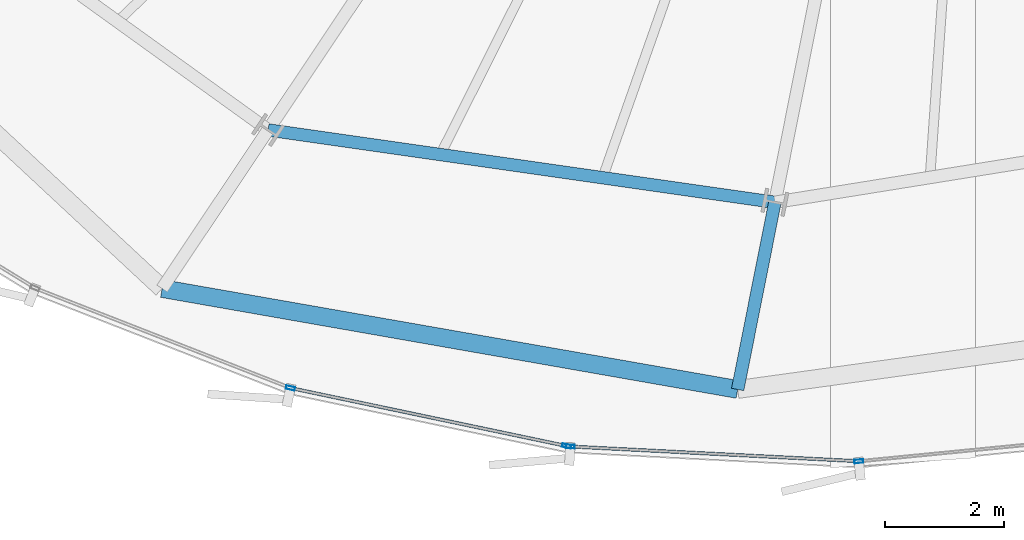
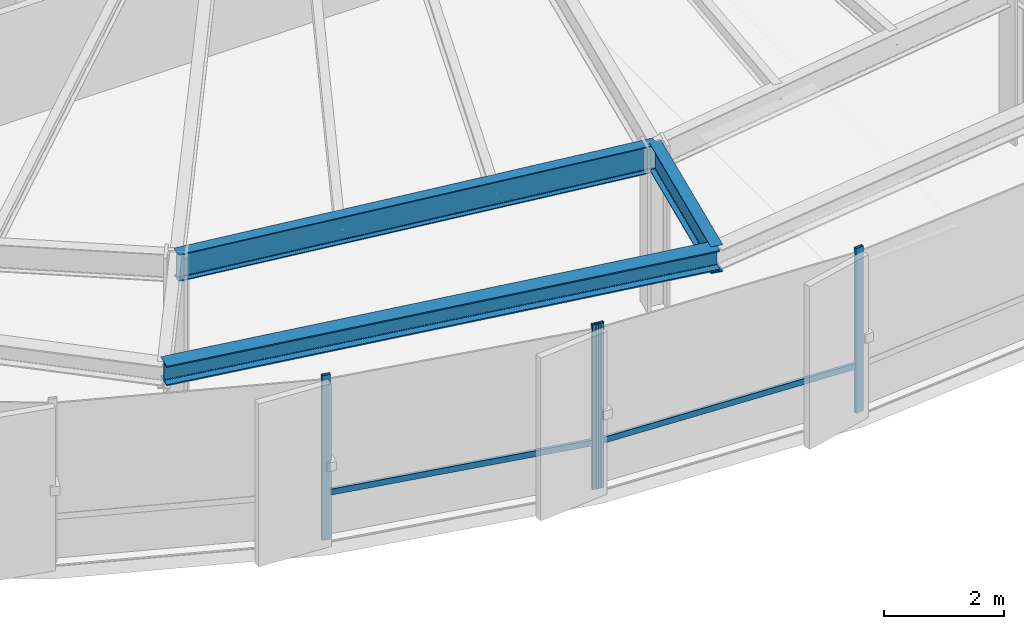
# One storey, part 5 of 35: 6 members, 3 beams, 2 elements without a shape of their own.
"""IFC4 building model written with IfcOpenShell, lengths in metres."""

from ifc_helpers import new_model, si_unit, direction, frame, origin, origin_2d, place, context, subcontext, project, spatial, hollow_rectangle, i_section, extrude, source, transform, mapped, material, layer, layer_set, material_profile, profile_set, type_object, element, aggregate, save


model = new_model("IFC4")

# Units and contexts
model_context = context("Model", 3, precision=1e-05, world=origin(), true_north=direction((0.0, 1.0)))
body_context = subcontext(model_context, "Body", "Model", "MODEL_VIEW")
ifc_project = project(units=[si_unit("LENGTHUNIT", "METRE"), si_unit("AREAUNIT", "SQUARE_METRE"), si_unit("VOLUMEUNIT", "CUBIC_METRE"), si_unit("PLANEANGLEUNIT", "RADIAN"), si_unit("MASSUNIT", "GRAM", prefix="KILO"), si_unit("THERMODYNAMICTEMPERATUREUNIT", "KELVIN")], contexts=[model_context])

# Site, building, storey
site_placement = place(None, origin())
site = spatial("IfcSite", under=ifc_project, at=site_placement, CompositionType="ELEMENT")
building_placement = place(site_placement, origin())
building = spatial("IfcBuilding", under=site, at=building_placement, Name="Kethvar Cultural Tower", CompositionType="ELEMENT")
storey_placement = place(building_placement, frame((0.0, 0.0, 107.199951171875)))
storey = spatial("IfcBuildingStorey", under=building, at=storey_placement, Name="L26", CompositionType="ELEMENT", Elevation=107.199951171875)

# Beams
ifc_material_1 = material(Name="Steel S355J2", Category="steel")
ifc_material_profile_1 = material_profile(ifc_material_1, i_section(OverallWidth=0.2099609375, OverallDepth=0.550048828125, WebThickness=0.010986328125, FlangeThickness=0.01708984375, FilletRadius=0.02392578125, at=origin_2d()), Name="Steel S355J2 — IPE550")
ifc_profile_set_1 = profile_set([ifc_material_profile_1], Name="Steel S355J2 — IPE550")
beam_type_1 = type_object("IfcBeamType", Name="BM-IPE550", PredefinedType="BEAM", material=ifc_profile_set_1)
shared_shape_1 = source(origin(), body_context, "Body", "SweptSolid", [
    extrude(i_section(OverallWidth=0.2099609375, OverallDepth=0.550048828125, WebThickness=0.010986328125, FlangeThickness=0.01708984375, FilletRadius=0.02392578125, at=origin_2d()), origin(), (0.0, 0.0, 1.0), 3.2001953125),
])
beam_1_placement = place(storey_placement, frame((42.852294921875, 7.95361328125, 3.072998046875), z_axis=(-0.195074368086, -0.980788453702, 0.0), x_axis=(0.980788453702, -0.195074368086, 0.0)))
element("IfcBeam", 1, at=beam_1_placement, inside=storey, type_object=beam_type_1, Name="L26 Perimeter Cantilever Beam RC-12", PredefinedType="BEAM", context=body_context, shape_type="MappedRepresentation", body=[
    mapped(shared_shape_1, transform((0.0, 0.0, 0.0), scale=1.0)),
])
shared_shape_2 = source(origin(), body_context, "Body", "SweptSolid", [
    extrude(i_section(OverallWidth=0.2099609375, OverallDepth=0.550048828125, WebThickness=0.010986328125, FlangeThickness=0.01708984375, FilletRadius=0.02392578125, at=origin_2d()), origin(), (0.0, 0.0, 1.0), 8.587890625),
])
beam_2_placement = place(storey_placement, frame((34.350830078125, 9.16845703125, 3.072998046875), z_axis=(0.989943807123, -0.141461156288, 0.0), x_axis=(0.141461156288, 0.989943807123, 0.0)))
element("IfcBeam", 2, at=beam_2_placement, inside=storey, type_object=beam_type_1, Name="L26 Column Ring Tie Beam CR-11", PredefinedType="BEAM", context=body_context, shape_type="MappedRepresentation", body=[
    mapped(shared_shape_2, transform((0.0, 0.0, 0.0), scale=1.0)),
])
ifc_material_profile_2 = material_profile(ifc_material_1, i_section(OverallWidth=0.300048828125, OverallDepth=0.39990234375, WebThickness=0.013427734375, FlangeThickness=0.02392578125, FilletRadius=0.027099609375, at=origin_2d()), Name="Steel S355J2 — HEB400")
ifc_profile_set_2 = profile_set([ifc_material_profile_2], Name="Steel S355J2 — HEB400")
beam_type_2 = type_object("IfcBeamType", Name="BM-SP400", PredefinedType="SPANDREL", material=ifc_profile_set_2)
shared_shape_3 = source(origin(), body_context, "Body", "SweptSolid", [
    extrude(i_section(OverallWidth=0.300048828125, OverallDepth=0.39990234375, WebThickness=0.013427734375, FlangeThickness=0.02392578125, FilletRadius=0.027099609375, at=origin_2d()), origin(), (0.0, 0.0, 1.0), 9.80224609375),
])
beam_3_placement = place(storey_placement, frame((32.572998046875, 6.5078125, 3.14794921875), z_axis=(0.984974273513, -0.172701130618, 0.0), x_axis=(0.172701130618, 0.984974273513, 0.0)))
element("IfcBeam", 3, at=beam_3_placement, inside=storey, type_object=beam_type_2, Name="L26 Perimeter Spandrel Beam SP-11", PredefinedType="SPANDREL", context=body_context, shape_type="MappedRepresentation", body=[
    mapped(shared_shape_3, transform((0.0, 0.0, 0.0), scale=1.0)),
])

# Curtain wall, members
ifc_material_2 = material(Name="Aluminium 6063-T6", Category="aluminium")
ifc_layer = layer(ifc_material_2, 0.179931640625, Name="Aluminium 6063-T6", Category="aluminium")
ifc_layer_set = layer_set([ifc_layer], Name="Aluminium 6063-T6 (180 mm)")
curtain_wall_type = type_object("IfcCurtainWallType", Name="CW-SYS-03-Z2", PredefinedType="NOTDEFINED", material=ifc_layer_set)
curtain_wall_1_placement = place(storey_placement, origin())
curtain_wall_1 = element("IfcCurtainWall", 4, at=curtain_wall_1_placement, inside=storey, type_object=curtain_wall_type, Name="L26 Curtain Wall Run 04", PredefinedType="NOTDEFINED")
ifc_material_profile_3 = material_profile(ifc_material_2, hollow_rectangle(XDim=0.06005859375, YDim=0.14990234375, WallThickness=0.0048828125, at=origin_2d()), Name="Aluminium 6063-T6 — RHS150x60x5")
ifc_profile_set_3 = profile_set([ifc_material_profile_3], Name="Aluminium 6063-T6 — RHS150x60x5")
member_type_1 = type_object("IfcMemberType", Name="CW-SYS-03-Z2-MUL", PredefinedType="MULLION", material=ifc_profile_set_3)
shared_shape_4 = source(origin(), body_context, "Body", "SweptSolid", [
    extrude(hollow_rectangle(XDim=0.06005859375, YDim=0.14990234375, WallThickness=0.0048828125, at=origin_2d()), origin(), (0.0, 0.0, 1.0), 3.35009765625),
])
member_1_placement = place(storey_placement, frame((34.72607421875, 4.83837890625, 0.0), z_axis=(0.0, 0.0, 1.0), x_axis=(0.205452683711, 0.97866705, 0.0)))
member_1 = element("IfcMember", 5, at=member_1_placement, type_object=member_type_1, Name="CW-L26-R04 Mullion 6", PredefinedType="MULLION", context=body_context, shape_type="MappedRepresentation", body=[
    mapped(shared_shape_4, transform((0.0, 0.0, 0.0), scale=1.0)),
])
member_2_placement = place(storey_placement, frame((39.359375, 3.86572265625, 0.0), z_axis=(0.0, 0.0, 1.0), x_axis=(0.205452683711, 0.97866705, 0.0)))
member_2 = element("IfcMember", 6, at=member_2_placement, type_object=member_type_1, Name="CW-L26-R04 Mullion 7", PredefinedType="MULLION", context=body_context, shape_type="MappedRepresentation", body=[
    mapped(shared_shape_4, transform((0.0, 0.0, 0.0), scale=1.0)),
])

curtain_wall_2_placement = place(storey_placement, origin())
curtain_wall_2 = element("IfcCurtainWall", 7, at=curtain_wall_2_placement, inside=storey, type_object=curtain_wall_type, Name="L26 Curtain Wall Run 05", PredefinedType="NOTDEFINED")
member_3_placement = place(storey_placement, frame((39.418701171875, 3.85791015625, 0.0), z_axis=(0.0, 0.0, 1.0), x_axis=(0.050941555809, 0.998701636071, 0.0)))
member_3 = element("IfcMember", 8, at=member_3_placement, type_object=member_type_1, Name="CW-L26-R05 Mullion 1", PredefinedType="MULLION", context=body_context, shape_type="MappedRepresentation", body=[
    mapped(shared_shape_4, transform((0.0, 0.0, 0.0), scale=1.0)),
])
member_4_placement = place(storey_placement, frame((44.259765625, 3.609619140625, 0.0), z_axis=(0.0, 0.0, 1.0), x_axis=(-0.097773967904, 0.995208647069, 0.0)))
member_4 = element("IfcMember", 9, at=member_4_placement, type_object=member_type_1, Name="CW-L26-R05 Mullion 2", PredefinedType="MULLION", context=body_context, shape_type="MappedRepresentation", body=[
    mapped(shared_shape_4, transform((0.0, 0.0, 0.0), scale=1.0)),
])
ifc_material_profile_4 = material_profile(ifc_material_2, hollow_rectangle(XDim=0.054931640625, YDim=0.1201171875, WallThickness=0.00390625, at=origin_2d()), Name="Aluminium 6063-T6 — RHS120x55x4")
ifc_profile_set_4 = profile_set([ifc_material_profile_4], Name="Aluminium 6063-T6 — RHS120x55x4")
member_type_2 = type_object("IfcMemberType", Name="CW-SYS-03-Z2-TRN", PredefinedType="USERDEFINED", material=ifc_profile_set_4)
shared_shape_5 = source(origin(), body_context, "Body", "SweptSolid", [
    extrude(hollow_rectangle(XDim=0.054931640625, YDim=0.1201171875, WallThickness=0.00390625, at=origin_2d()), origin(), (0.0, 0.0, 1.0), 4.817138671875),
])
member_5_placement = place(storey_placement, frame((39.4228515625, 3.857666015625, 0.949951171875), z_axis=(0.998701915446, -0.050936078408, 0.0), x_axis=(0.050936078408, 0.998701915446, 0.0)))
member_5 = element("IfcMember", 10, at=member_5_placement, type_object=member_type_2, Name="CW-L26-R05 Transom 1", ObjectType="TRANSOM", PredefinedType="USERDEFINED", context=body_context, shape_type="MappedRepresentation", body=[
    mapped(shared_shape_5, transform((0.0, 0.0, 0.0), scale=1.0)),
])
aggregate(curtain_wall_2, [member_3, member_4, member_5])

# Member
shared_shape_6 = source(origin(), body_context, "Body", "SweptSolid", [
    extrude(hollow_rectangle(XDim=0.054931640625, YDim=0.1201171875, WallThickness=0.00390625, at=origin_2d()), origin(), (0.0, 0.0, 1.0), 4.68701171875),
])
member_6_placement = place(storey_placement, frame((34.768310546875, 4.82958984375, 0.949951171875), z_axis=(0.978658525163, -0.205493287299, 0.0), x_axis=(0.205493287299, 0.978658525163, 0.0)))
member_6 = element("IfcMember", 11, at=member_6_placement, type_object=member_type_2, Name="CW-L26-R04 Transom 6", ObjectType="TRANSOM", PredefinedType="USERDEFINED", context=body_context, shape_type="MappedRepresentation", body=[
    mapped(shared_shape_6, transform((0.0, 0.0, 0.0), scale=1.0)),
])

aggregate(curtain_wall_1, [member_1, member_2, member_6])

save(model, "model.ifc")
